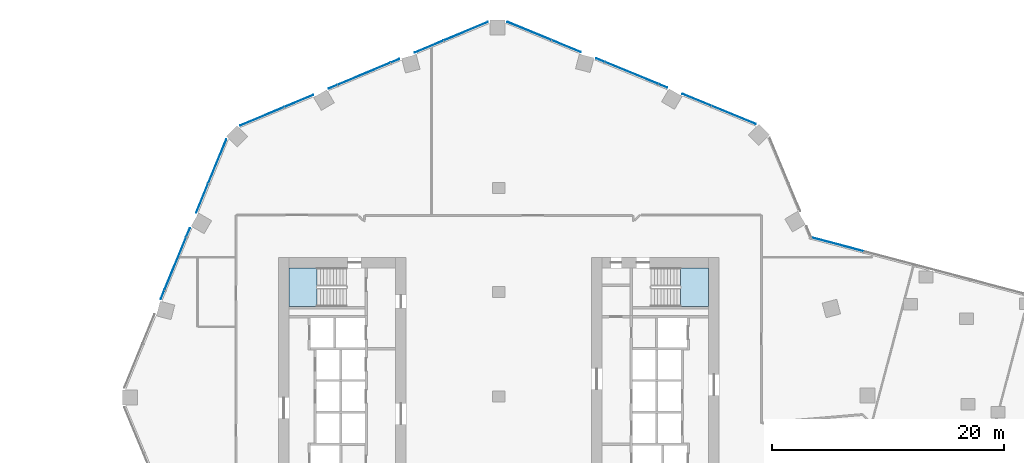
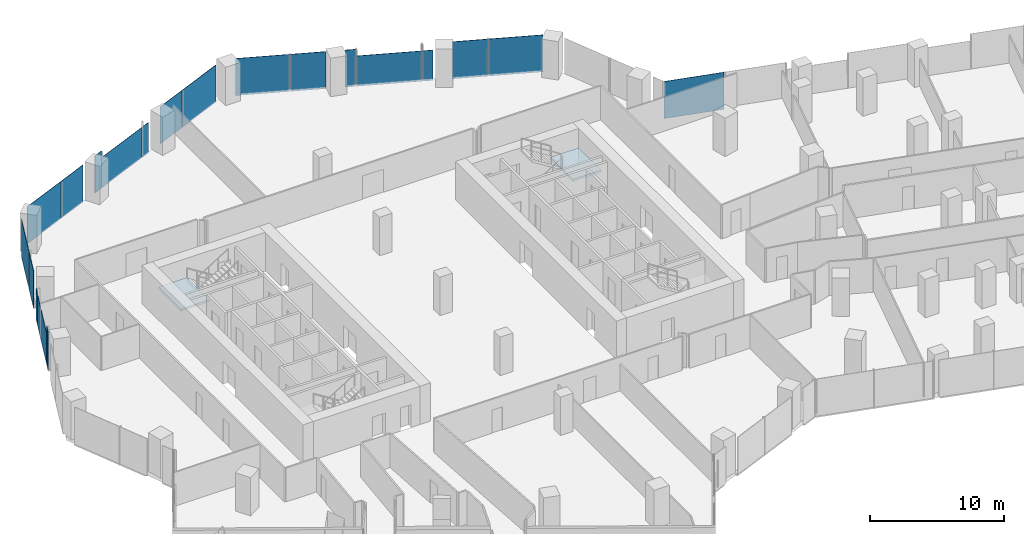
# One storey, part 24 of 35: 20 plates, 2 slabs, 6 elements without a shape of their own.
"""IFC4 building model written with IfcOpenShell, lengths in metres."""

from ifc_helpers import new_model, si_unit, direction, frame, origin, origin_2d, place, context, subcontext, project, spatial, polyline, rectangle, outline, extrude, material, layer, layer_set, type_object, element, aggregate, save


model = new_model("IFC4")

# Units and contexts
model_context = context("Model", 3, precision=1e-05, world=origin(), true_north=direction((0.0, 1.0)))
body_context = subcontext(model_context, "Body", "Model", "MODEL_VIEW")
ifc_project = project(units=[si_unit("LENGTHUNIT", "METRE"), si_unit("AREAUNIT", "SQUARE_METRE"), si_unit("VOLUMEUNIT", "CUBIC_METRE"), si_unit("PLANEANGLEUNIT", "RADIAN"), si_unit("MASSUNIT", "GRAM", prefix="KILO")], contexts=[model_context])

# Site, building, storey
site_placement = place(None, origin())
site = spatial("IfcSite", under=ifc_project, at=site_placement, CompositionType="ELEMENT")
building_placement = place(site_placement, origin())
building = spatial("IfcBuilding", under=site, at=building_placement, Name="Orlundy Tower", CompositionType="ELEMENT")
storey_placement = place(building_placement, frame((0.0, 0.0, 116.199951171875)))
storey = spatial("IfcBuildingStorey", under=building, at=storey_placement, Name="L29", CompositionType="ELEMENT", Elevation=116.199951171875)

# Curtain wall, plates
ifc_material_1 = material(Name="Aluminium bronze anodised", Category="aluminium")
curtain_wall_type = type_object("IfcCurtainWallType", Name="CW1 wall", PredefinedType="NOTDEFINED", material=ifc_material_1)
curtain_wall_1_placement = place(storey_placement, origin())
curtain_wall_1 = element("IfcCurtainWall", 1, at=curtain_wall_1_placement, inside=storey, type_object=curtain_wall_type, Name="CW1 run 014", PredefinedType="NOTDEFINED")
ifc_material_2 = material(Name="Tinted glass", Category="glass")
ifc_layer_1 = layer(ifc_material_2, 0.031982421875)
ifc_layer_set_1 = layer_set([ifc_layer_1], Name="CW1 glass panel 32")
plate_type = type_object("IfcPlateType", Name="CW1 glass panel 32", PredefinedType="CURTAIN_PANEL", material=ifc_layer_set_1)
plate_1_placement = place(storey_placement, frame((-29.0068359375, 8.77197265625, -0.27978515625), z_axis=(0.0, 0.0, 1.0), x_axis=(0.380004927003, 0.924984462277, 0.0)))
plate_1 = element("IfcPlate", 2, at=plate_1_placement, type_object=plate_type, Name="CW1 panel", PredefinedType="CURTAIN_PANEL", context=body_context, shape_type="SweptSolid", body=[
    extrude(rectangle(XDim=0.796630859375, YDim=0.031982421875, at=origin_2d()), origin(), (0.0, 0.0, 1.0), 3.3798828125),
])
plate_2_placement = place(storey_placement, frame((-27.901611328125, 11.46240234375, -0.27978515625), z_axis=(0.0, 0.0, 1.0), x_axis=(0.380004927003, 0.924984462277, 0.0)))
plate_2 = element("IfcPlate", 3, at=plate_2_placement, type_object=plate_type, Name="CW1 panel", PredefinedType="CURTAIN_PANEL", context=body_context, shape_type="SweptSolid", body=[
    extrude(rectangle(XDim=4.92041015625, YDim=0.031982421875, at=origin_2d()), origin(), (0.0, 0.0, 1.0), 2.763916015625),
])
plate_3_placement = place(storey_placement, frame((-26.79638671875, 14.15283203125, -0.27978515625), z_axis=(0.0, 0.0, 1.0), x_axis=(0.380004927003, 0.924984462277, 0.0)))
plate_3 = element("IfcPlate", 4, at=plate_3_placement, type_object=plate_type, Name="CW1 panel", PredefinedType="CURTAIN_PANEL", context=body_context, shape_type="SweptSolid", body=[
    extrude(rectangle(XDim=0.796875, YDim=0.031982421875, at=origin_2d()), origin(), (0.0, 0.0, 1.0), 2.763916015625),
])
plate_4_placement = place(storey_placement, frame((-25.589599609375, 17.090576171875, -0.27978515625), z_axis=(0.0, 0.0, 1.0), x_axis=(0.380004927003, 0.924984462277, 0.0)))
plate_4 = element("IfcPlate", 5, at=plate_4_placement, type_object=plate_type, Name="CW1 panel", PredefinedType="CURTAIN_PANEL", context=body_context, shape_type="SweptSolid", body=[
    extrude(rectangle(XDim=2.692138671875, YDim=0.031982421875, at=origin_2d()), origin(), (0.0, 0.0, 1.0), 3.3798828125),
])
plate_5_placement = place(storey_placement, frame((-24.28125, 20.275146484375, -0.27978515625), z_axis=(0.0, 0.0, 1.0), x_axis=(0.380004927003, 0.924984462277, 0.0)))
plate_5 = element("IfcPlate", 6, at=plate_5_placement, type_object=plate_type, Name="CW1 panel", PredefinedType="CURTAIN_PANEL", context=body_context, shape_type="SweptSolid", body=[
    extrude(rectangle(XDim=4.093505859375, YDim=0.031982421875, at=origin_2d()), origin(), (0.0, 0.0, 1.0), 3.3798828125),
])
aggregate(curtain_wall_1, [plate_1, plate_2, plate_3, plate_4, plate_5])

curtain_wall_2_placement = place(storey_placement, origin())
curtain_wall_2 = element("IfcCurtainWall", 7, at=curtain_wall_2_placement, inside=storey, type_object=curtain_wall_type, Name="CW1 run 015", PredefinedType="NOTDEFINED")
plate_6_placement = place(storey_placement, frame((-20.416015625, 24.16259765625, -0.27978515625), z_axis=(0.0, 0.0, 1.0), x_axis=(0.922759964351, 0.385375204433, 0.0)))
plate_6 = element("IfcPlate", 8, at=plate_6_placement, type_object=plate_type, Name="CW1 panel", PredefinedType="CURTAIN_PANEL", context=body_context, shape_type="SweptSolid", body=[
    extrude(rectangle(XDim=4.093505859375, YDim=0.031982421875, at=origin_2d()), origin(), (0.0, 0.0, 1.0), 3.3798828125),
])
plate_7_placement = place(storey_placement, frame((-17.24072265625, 25.48876953125, -0.27978515625), z_axis=(0.0, 0.0, 1.0), x_axis=(0.922759964351, 0.385375204433, 0.0)))
plate_7 = element("IfcPlate", 9, at=plate_7_placement, type_object=plate_type, Name="CW1 panel", PredefinedType="CURTAIN_PANEL", context=body_context, shape_type="SweptSolid", body=[
    extrude(rectangle(XDim=2.688720703125, YDim=0.031982421875, at=origin_2d()), origin(), (0.0, 0.0, 1.0), 3.3798828125),
])
plate_8_placement = place(storey_placement, frame((-14.308349609375, 26.71337890625, -0.27978515625), z_axis=(0.0, 0.0, 1.0), x_axis=(0.922759964351, 0.385375204433, 0.0)))
plate_8 = element("IfcPlate", 10, at=plate_8_placement, type_object=plate_type, Name="CW1 panel", PredefinedType="CURTAIN_PANEL", context=body_context, shape_type="SweptSolid", body=[
    extrude(rectangle(XDim=0.796630859375, YDim=0.031982421875, at=origin_2d()), origin(), (0.0, 0.0, 1.0), 3.3798828125),
])
plate_9_placement = place(storey_placement, frame((-11.624267578125, 27.834228515625, -0.27978515625), z_axis=(0.0, 0.0, 1.0), x_axis=(0.922759964351, 0.385375204433, 0.0)))
plate_9 = element("IfcPlate", 11, at=plate_9_placement, type_object=plate_type, Name="CW1 panel", PredefinedType="CURTAIN_PANEL", context=body_context, shape_type="SweptSolid", body=[
    extrude(rectangle(XDim=4.920654296875, YDim=0.031982421875, at=origin_2d()), origin(), (0.0, 0.0, 1.0), 2.763916015625),
])
plate_10_placement = place(storey_placement, frame((-8.940185546875, 28.955322265625, -0.27978515625), z_axis=(0.0, 0.0, 1.0), x_axis=(0.922759964351, 0.385375204433, 0.0)))
plate_10 = element("IfcPlate", 12, at=plate_10_placement, type_object=plate_type, Name="CW1 panel", PredefinedType="CURTAIN_PANEL", context=body_context, shape_type="SweptSolid", body=[
    extrude(rectangle(XDim=0.79638671875, YDim=0.031982421875, at=origin_2d()), origin(), (0.0, 0.0, 1.0), 2.763916015625),
])
plate_11_placement = place(storey_placement, frame((-6.007568359375, 30.18017578125, -0.27978515625), z_axis=(0.0, 0.0, 1.0), x_axis=(0.922759964351, 0.385375204433, 0.0)))
plate_11 = element("IfcPlate", 13, at=plate_11_placement, type_object=plate_type, Name="CW1 panel", PredefinedType="CURTAIN_PANEL", context=body_context, shape_type="SweptSolid", body=[
    extrude(rectangle(XDim=2.6884765625, YDim=0.031982421875, at=origin_2d()), origin(), (0.0, 0.0, 1.0), 3.3798828125),
])
plate_12_placement = place(storey_placement, frame((-2.832763671875, 31.505859375, -0.27978515625), z_axis=(0.0, 0.0, 1.0), x_axis=(0.922759964351, 0.385375204433, 0.0)))
plate_12 = element("IfcPlate", 14, at=plate_12_placement, type_object=plate_type, Name="CW1 panel", PredefinedType="CURTAIN_PANEL", context=body_context, shape_type="SweptSolid", body=[
    extrude(rectangle(XDim=4.0927734375, YDim=0.031982421875, at=origin_2d()), origin(), (0.0, 0.0, 1.0), 3.3798828125),
])
aggregate(curtain_wall_2, [plate_6, plate_7, plate_8, plate_9, plate_10, plate_11, plate_12])

curtain_wall_3_placement = place(storey_placement, origin())
curtain_wall_3 = element("IfcCurtainWall", 15, at=curtain_wall_3_placement, inside=storey, type_object=curtain_wall_type, Name="CW1 run 016", PredefinedType="NOTDEFINED")
plate_13_placement = place(storey_placement, frame((2.649169921875, 31.522216796875, -0.27978515625), z_axis=(0.0, 0.0, 1.0), x_axis=(0.924984462277, -0.380004927003, 0.0)))
plate_13 = element("IfcPlate", 16, at=plate_13_placement, type_object=plate_type, Name="CW1 panel", PredefinedType="CURTAIN_PANEL", context=body_context, shape_type="SweptSolid", body=[
    extrude(rectangle(XDim=4.09423828125, YDim=0.031982421875, at=origin_2d()), origin(), (0.0, 0.0, 1.0), 3.3798828125),
])
plate_14_placement = place(storey_placement, frame((5.835205078125, 30.21337890625, -0.27978515625), z_axis=(0.0, 0.0, 1.0), x_axis=(0.924984462277, -0.380004927003, 0.0)))
plate_14 = element("IfcPlate", 17, at=plate_14_placement, type_object=plate_type, Name="CW1 panel", PredefinedType="CURTAIN_PANEL", context=body_context, shape_type="SweptSolid", body=[
    extrude(rectangle(XDim=2.694580078125, YDim=0.031982421875, at=origin_2d()), origin(), (0.0, 0.0, 1.0), 3.3798828125),
])
plate_15_placement = place(storey_placement, frame((8.77197265625, 29.0068359375, -0.27978515625), z_axis=(0.0, 0.0, 1.0), x_axis=(0.924984462277, -0.380004927003, 0.0)))
plate_15 = element("IfcPlate", 18, at=plate_15_placement, type_object=plate_type, Name="CW1 panel", PredefinedType="CURTAIN_PANEL", context=body_context, shape_type="SweptSolid", body=[
    extrude(rectangle(XDim=0.796630859375, YDim=0.031982421875, at=origin_2d()), origin(), (0.0, 0.0, 1.0), 3.3798828125),
])
plate_16_placement = place(storey_placement, frame((11.46240234375, 27.901611328125, -0.27978515625), z_axis=(0.0, 0.0, 1.0), x_axis=(0.924984462277, -0.380004927003, 0.0)))
plate_16 = element("IfcPlate", 19, at=plate_16_placement, type_object=plate_type, Name="CW1 panel", PredefinedType="CURTAIN_PANEL", context=body_context, shape_type="SweptSolid", body=[
    extrude(rectangle(XDim=4.92041015625, YDim=0.031982421875, at=origin_2d()), origin(), (0.0, 0.0, 1.0), 2.763916015625),
])
plate_17_placement = place(storey_placement, frame((14.15283203125, 26.79638671875, -0.27978515625), z_axis=(0.0, 0.0, 1.0), x_axis=(0.924984462277, -0.380004927003, 0.0)))
plate_17 = element("IfcPlate", 20, at=plate_17_placement, type_object=plate_type, Name="CW1 panel", PredefinedType="CURTAIN_PANEL", context=body_context, shape_type="SweptSolid", body=[
    extrude(rectangle(XDim=0.796875, YDim=0.031982421875, at=origin_2d()), origin(), (0.0, 0.0, 1.0), 2.763916015625),
])
plate_18_placement = place(storey_placement, frame((17.090576171875, 25.589599609375, -0.27978515625), z_axis=(0.0, 0.0, 1.0), x_axis=(0.924984462277, -0.380004927003, 0.0)))
plate_18 = element("IfcPlate", 21, at=plate_18_placement, type_object=plate_type, Name="CW1 panel", PredefinedType="CURTAIN_PANEL", context=body_context, shape_type="SweptSolid", body=[
    extrude(rectangle(XDim=2.692138671875, YDim=0.031982421875, at=origin_2d()), origin(), (0.0, 0.0, 1.0), 3.3798828125),
])
plate_19_placement = place(storey_placement, frame((20.275146484375, 24.28125, -0.27978515625), z_axis=(0.0, 0.0, 1.0), x_axis=(0.924984462277, -0.380004927003, 0.0)))
plate_19 = element("IfcPlate", 22, at=plate_19_placement, type_object=plate_type, Name="CW1 panel", PredefinedType="CURTAIN_PANEL", context=body_context, shape_type="SweptSolid", body=[
    extrude(rectangle(XDim=4.093505859375, YDim=0.031982421875, at=origin_2d()), origin(), (0.0, 0.0, 1.0), 3.3798828125),
])
aggregate(curtain_wall_3, [plate_13, plate_14, plate_15, plate_16, plate_17, plate_18, plate_19])

# Curtain wall, plate
curtain_wall_4_placement = place(storey_placement, origin())
curtain_wall_4 = element("IfcCurtainWall", 23, at=curtain_wall_4_placement, inside=storey, type_object=curtain_wall_type, Name="CW1 run 018", PredefinedType="NOTDEFINED")
plate_20_placement = place(storey_placement, frame((29.20654296875, 13.12451171875, -0.27978515625), z_axis=(0.0, 0.0, 1.0), x_axis=(0.966671560598, -0.256019713949, 0.0)))
plate_20 = element("IfcPlate", 24, at=plate_20_placement, type_object=plate_type, Name="CW1 panel", PredefinedType="CURTAIN_PANEL", context=body_context, shape_type="SweptSolid", body=[
    extrude(rectangle(XDim=4.649658203125, YDim=0.031982421875, at=origin_2d()), origin(), (0.0, 0.0, 1.0), 3.3798828125),
])
aggregate(curtain_wall_4, [plate_20])

# Stair, slab
ifc_material_3 = material(Name="Concrete C50/60", Category="concrete")
stair_type = type_object("IfcStairType", Name="Exit Stair 20 risers", PredefinedType="HALF_TURN_STAIR", material=ifc_material_3)
stair_1_placement = place(storey_placement, origin())
stair_1 = element("IfcStair", 25, at=stair_1_placement, inside=storey, type_object=stair_type, Name="L29 Exit Stair ST-W1", PredefinedType="HALF_TURN_STAIR")
ifc_material_4 = material(Name="Concrete C50/60", Category="concrete")
ifc_layer_2 = layer(ifc_material_4, 0.199951171875)
ifc_layer_set_2 = layer_set([ifc_layer_2], Name="Exit Stair Landing")
slab_type = type_object("IfcSlabType", Name="Exit Stair Landing", PredefinedType="LANDING", material=ifc_layer_set_2)
slab_1_placement = place(storey_placement, frame((0.0, 0.0, 1.550048828125)))
slab_1 = element("IfcSlab", 26, at=slab_1_placement, type_object=slab_type, Name="ST-W1 landing 1", PredefinedType="LANDING", context=body_context, shape_type="SweptSolid", body=[
    extrude(outline(polyline([(-15.659912109375, 11.10009765625), (-18.10009765625, 11.10009765625), (-18.10009765625, 7.75), (-15.659912109375, 7.75), (-15.659912109375, 11.10009765625)])), origin(), (0.0, 0.0, 1.0), 0.199951171875),
])
aggregate(stair_1, [slab_1])

stair_2_placement = place(storey_placement, origin())
stair_2 = element("IfcStair", 27, at=stair_2_placement, inside=storey, type_object=stair_type, Name="L29 Exit Stair ST-E2", PredefinedType="HALF_TURN_STAIR")
slab_2_placement = place(storey_placement, frame((0.0, 0.0, 1.550048828125)))
slab_2 = element("IfcSlab", 28, at=slab_2_placement, type_object=slab_type, Name="ST-E2 landing 1", PredefinedType="LANDING", context=body_context, shape_type="SweptSolid", body=[
    extrude(outline(polyline([(15.659912109375, 7.75), (18.10009765625, 7.75), (18.10009765625, 11.10009765625), (15.659912109375, 11.10009765625), (15.659912109375, 7.75)])), origin(), (0.0, 0.0, 1.0), 0.199951171875),
])
aggregate(stair_2, [slab_2])

save(model, "model.ifc")
